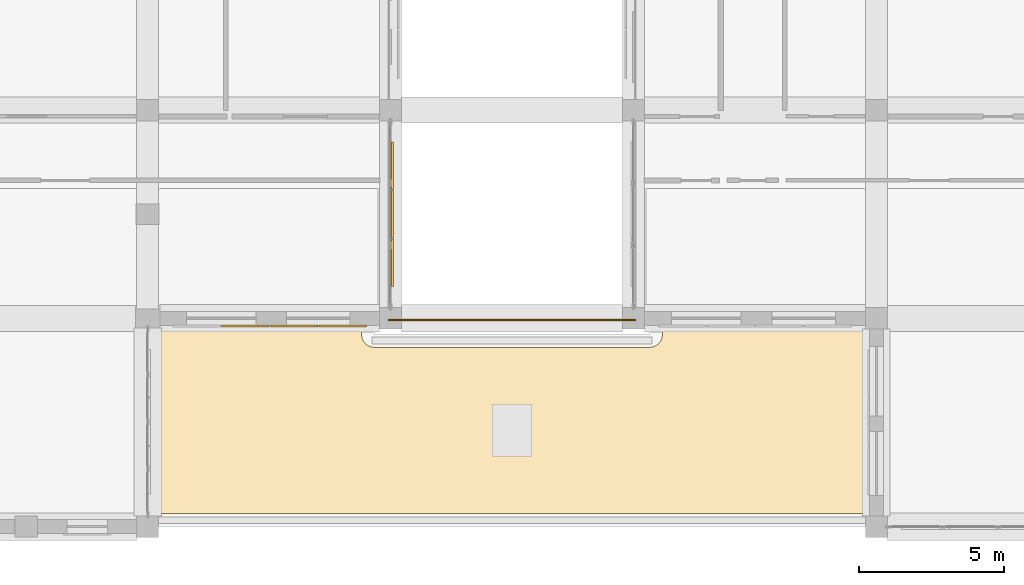
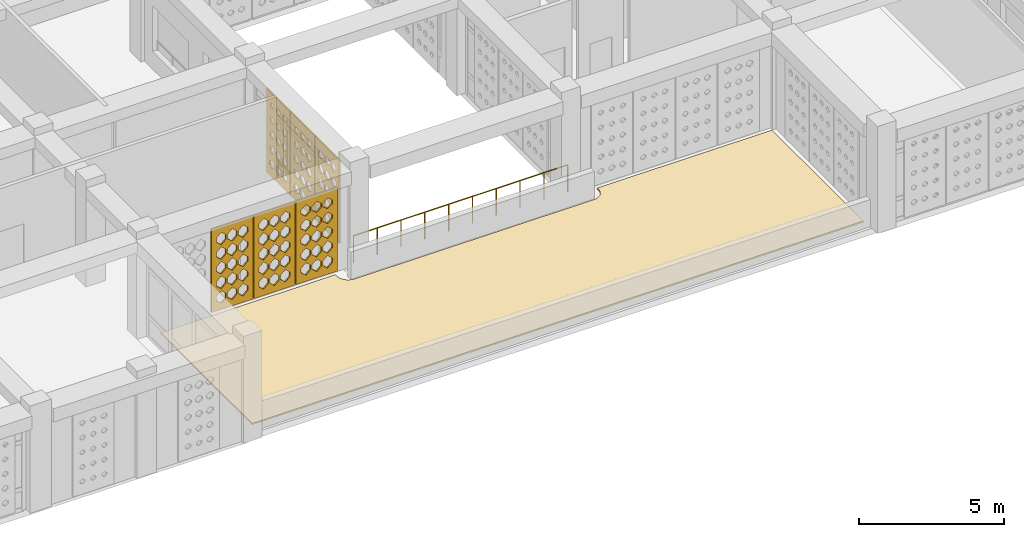
# One storey, part 78 of 111: 7 coverings, 1 railing.
"""IFC4 building model written with IfcOpenShell, lengths in metres."""

from ifc_helpers import new_model, si_unit, derived_unit, direction, frame, origin, origin_2d, place, context, subcontext, project, spatial, polyline, circle, outline, extrude, material, layer, layer_set, type_object, element, save


model = new_model("IFC4")

# Units and contexts
model_context = context("Model", 3, precision=1e-05, world=origin(), true_north=direction((0.0, 1.0)))
body_context = subcontext(model_context, "Body", "Model", "MODEL_VIEW")
ifc_project = project(units=[si_unit("LENGTHUNIT", "METRE"), si_unit("AREAUNIT", "SQUARE_METRE"), si_unit("VOLUMEUNIT", "CUBIC_METRE"), si_unit("PLANEANGLEUNIT", "RADIAN"), si_unit("MASSUNIT", "GRAM", prefix="KILO"), derived_unit("THERMALTRANSMITTANCEUNIT", [(si_unit("POWERUNIT", "WATT"), 1), (si_unit("LENGTHUNIT", "METRE"), -2), (si_unit("THERMODYNAMICTEMPERATUREUNIT", "KELVIN"), -1)])], contexts=[model_context])

# Site, building, storey
site_placement = place(None, origin())
site = spatial("IfcSite", under=ifc_project, at=site_placement, CompositionType="ELEMENT")
building_placement = place(site_placement, origin())
building = spatial("IfcBuilding", under=site, at=building_placement, Name="Veybourne Emporium", CompositionType="ELEMENT")
storey_placement = place(building_placement, frame((0.0, 0.0, 9.89990234375)))
storey = spatial("IfcBuildingStorey", under=building, at=storey_placement, Name="L02", CompositionType="ELEMENT", Elevation=9.89990234375)

# Railing
ifc_material_1 = material(Name="Patinated Architectural Bronze", Category="bronze")
railing_type = type_object("IfcRailingType", Name="Balustrade_BL-01", PredefinedType="BALUSTRADE", material=ifc_material_1)
railing_placement = place(storey_placement, frame((58.739990234375, 7.139892578125, 0.0)))
element("IfcRailing", 1, at=railing_placement, inside=storey, type_object=railing_type, Name="L02 shopping arcade gallery balustrade 1", PredefinedType="BALUSTRADE", context=body_context, shape_type="SweptSolid", body=[
    extrude(circle(Radius=0.02392578125, at=origin_2d()), frame((0.0, 0.0, 1.1259765625), z_axis=(1.0, 0.0, 0.0), x_axis=(0.0, 1.0, 0.0)), (0.0, 0.0, 1.0), 8.52001953125),
    extrude(circle(Radius=0.02099609375, at=origin_2d()), origin(), (0.0, 0.0, 1.0), 1.101806640625),
    extrude(circle(Radius=0.02099609375, at=origin_2d()), frame((0.94677734375, 0.0, 0.0)), (0.0, 0.0, 1.0), 1.101806640625),
    extrude(circle(Radius=0.02099609375, at=origin_2d()), frame((1.893310546875, 0.0, 0.0)), (0.0, 0.0, 1.0), 1.101806640625),
    extrude(circle(Radius=0.02099609375, at=origin_2d()), frame((2.840087890625, 0.0, 0.0)), (0.0, 0.0, 1.0), 1.101806640625),
    extrude(circle(Radius=0.02099609375, at=origin_2d()), frame((3.78662109375, 0.0, 0.0)), (0.0, 0.0, 1.0), 1.101806640625),
    extrude(circle(Radius=0.02099609375, at=origin_2d()), frame((4.7333984375, 0.0, 0.0)), (0.0, 0.0, 1.0), 1.101806640625),
    extrude(circle(Radius=0.02099609375, at=origin_2d()), frame((5.679931640625, 0.0, 0.0)), (0.0, 0.0, 1.0), 1.101806640625),
    extrude(circle(Radius=0.02099609375, at=origin_2d()), frame((6.626708984375, 0.0, 0.0)), (0.0, 0.0, 1.0), 1.101806640625),
    extrude(circle(Radius=0.02099609375, at=origin_2d()), frame((7.5732421875, 0.0, 0.0)), (0.0, 0.0, 1.0), 1.101806640625),
    extrude(circle(Radius=0.02099609375, at=origin_2d()), frame((8.52001953125, 0.0, 0.0)), (0.0, 0.0, 1.0), 1.101806640625),
])

# Coverings
ifc_material_2 = material(Name="Single-Ply Warm Roof Membrane", Category="membrane")
ifc_layer_1 = layer(ifc_material_2, 0.06005859375)
ifc_layer_set_1 = layer_set([ifc_layer_1], Name="Single-Ply Warm Roof Membrane")
covering_type_1 = type_object("IfcCoveringType", Name="Roofing_RFG-01", PredefinedType="ROOFING", material=ifc_layer_set_1)
covering_1_placement = place(storey_placement, origin())
element("IfcCovering", 2, at=covering_1_placement, inside=storey, type_object=covering_type_1, Name="L02 warm-roof waterproofing membrane 1.1", PredefinedType="ROOFING", context=body_context, shape_type="SweptSolid", body=[
    extrude(outline(polyline([(75.14990234375, 6.75), (75.14990234375, 0.449951171875), (50.85009765625, 0.449951171875), (50.85009765625, 6.75), (57.800048828125, 6.75), (57.800048828125, 6.64990234375), (57.80224609375, 6.60595703125), (57.80859375, 6.562255859375), (57.8193359375, 6.519287109375), (57.834228515625, 6.477783203125), (57.85302734375, 6.43798828125), (57.875732421875, 6.39990234375), (57.902099609375, 6.364501953125), (57.931884765625, 6.331787109375), (57.964599609375, 6.30224609375), (58.0, 6.27587890625), (58.037841796875, 6.253173828125), (58.077880859375, 6.234130859375), (58.119384765625, 6.219482421875), (58.162109375, 6.208740234375), (58.205810546875, 6.2021484375), (58.25, 6.199951171875), (67.75, 6.199951171875), (67.794189453125, 6.2021484375), (67.837890625, 6.208740234375), (67.880615234375, 6.219482421875), (67.922119140625, 6.234130859375), (67.962158203125, 6.253173828125), (68.0, 6.27587890625), (68.035400390625, 6.30224609375), (68.068115234375, 6.331787109375), (68.097900390625, 6.364501953125), (68.124267578125, 6.39990234375), (68.14697265625, 6.43798828125), (68.165771484375, 6.477783203125), (68.1806640625, 6.519287109375), (68.19140625, 6.562255859375), (68.19775390625, 6.60595703125), (68.199951171875, 6.64990234375), (68.199951171875, 6.75), (75.14990234375, 6.75)])), origin(), (0.0, 0.0, 1.0), 0.06005859375),
])
ifc_material_3 = material(Name="Warm-White Perforated Aluminium Screen Alloy", Category="aluminium")
ifc_layer_2 = layer(ifc_material_3, 0.06005859375)
ifc_layer_set_2 = layer_set([ifc_layer_2], Name="Warm-White Perforated Aluminium Screen Alloy")
covering_type_2 = type_object("IfcCoveringType", Name="WaveScreen_SCR-01", PredefinedType="CLADDING", material=ifc_layer_set_2)
covering_2_placement = place(storey_placement, frame((57.14501953125, 6.90185546875, 1.815185546875), z_axis=(0.0, 1.0, 0.0), x_axis=(-1.0, 0.0, 0.0)))
element("IfcCovering", 3, at=covering_2_placement, inside=storey, type_object=covering_type_2, Name="L02 wave-perforated aluminium screen SCR-01 (29.1)", PredefinedType="CLADDING", context=body_context, shape_type="SweptSolid", body=[
    extrude(outline(polyline([(-0.81982421875, -1.7548828125), (0.81982421875, -1.7548828125), (0.81982421875, 1.7548828125), (-0.81982421875, 1.7548828125), (-0.81982421875, -1.7548828125)]), holes=[polyline([(-0.433349609375, -0.964111328125), (-0.2470703125, -1.133056640625), (-0.2470703125, -1.322998046875), (-0.433349609375, -1.491943359375), (-0.61962890625, -1.322998046875), (-0.61962890625, -1.133056640625), (-0.433349609375, -0.964111328125)]), polyline([(-0.433349609375, -0.3525390625), (-0.2470703125, -0.52001953125), (-0.2470703125, -0.7080078125), (-0.433349609375, -0.87548828125), (-0.61962890625, -0.7080078125), (-0.61962890625, -0.52001953125), (-0.433349609375, -0.3525390625)]), polyline([(-0.433349609375, 0.252685546875), (-0.2470703125, 0.0908203125), (-0.2470703125, -0.0908203125), (-0.433349609375, -0.252685546875), (-0.61962890625, -0.0908203125), (-0.61962890625, 0.0908203125), (-0.433349609375, 0.252685546875)]), polyline([(-0.433349609375, 0.85595703125), (-0.2470703125, 0.701171875), (-0.2470703125, 0.52685546875), (-0.433349609375, 0.3720703125), (-0.61962890625, 0.52685546875), (-0.61962890625, 0.701171875), (-0.433349609375, 0.85595703125)]), polyline([(-0.433349609375, 1.4580078125), (-0.2470703125, 1.310791015625), (-0.2470703125, 1.145263671875), (-0.433349609375, 0.998046875), (-0.61962890625, 1.145263671875), (-0.61962890625, 1.310791015625), (-0.433349609375, 1.4580078125)]), polyline([(0.0, -0.964111328125), (0.186279296875, -1.133056640625), (0.186279296875, -1.322998046875), (0.0, -1.491943359375), (-0.186279296875, -1.322998046875), (-0.186279296875, -1.133056640625), (0.0, -0.964111328125)]), polyline([(0.0, -0.35009765625), (0.186279296875, -0.51904296875), (0.186279296875, -0.708984375), (0.0, -0.8779296875), (-0.186279296875, -0.708984375), (-0.186279296875, -0.51904296875), (0.0, -0.35009765625)]), polyline([(0.0, 0.2568359375), (0.186279296875, 0.092529296875), (0.186279296875, -0.092529296875), (0.0, -0.2568359375), (-0.186279296875, -0.092529296875), (-0.186279296875, 0.092529296875), (0.0, 0.2568359375)]), polyline([(0.0, 0.861083984375), (0.186279296875, 0.702880859375), (0.186279296875, 0.525146484375), (0.0, 0.366943359375), (-0.186279296875, 0.525146484375), (-0.186279296875, 0.702880859375), (0.0, 0.861083984375)]), polyline([(0.0, 1.463623046875), (0.186279296875, 1.312744140625), (0.186279296875, 1.143310546875), (0.0, 0.992431640625), (-0.186279296875, 1.143310546875), (-0.186279296875, 1.312744140625), (0.0, 1.463623046875)]), polyline([(0.433349609375, -0.964111328125), (0.61962890625, -1.133056640625), (0.61962890625, -1.322998046875), (0.433349609375, -1.491943359375), (0.2470703125, -1.322998046875), (0.2470703125, -1.133056640625), (0.433349609375, -0.964111328125)]), polyline([(0.433349609375, -0.35009765625), (0.61962890625, -0.51904296875), (0.61962890625, -0.708984375), (0.433349609375, -0.8779296875), (0.2470703125, -0.708984375), (0.2470703125, -0.51904296875), (0.433349609375, -0.35009765625)]), polyline([(0.433349609375, 0.260498046875), (0.61962890625, 0.09375), (0.61962890625, -0.09375), (0.433349609375, -0.260498046875), (0.2470703125, -0.09375), (0.2470703125, 0.09375), (0.433349609375, 0.260498046875)]), polyline([(0.433349609375, 0.86572265625), (0.61962890625, 0.70458984375), (0.61962890625, 0.5234375), (0.433349609375, 0.3623046875), (0.2470703125, 0.5234375), (0.2470703125, 0.70458984375), (0.433349609375, 0.86572265625)]), polyline([(0.433349609375, 1.468994140625), (0.61962890625, 1.314697265625), (0.61962890625, 1.14111328125), (0.433349609375, 0.987060546875), (0.2470703125, 1.14111328125), (0.2470703125, 1.314697265625), (0.433349609375, 1.468994140625)])]), origin(), (0.0, 0.0, 1.0), 0.06005859375),
])
ifc_layer_3 = layer(ifc_material_3, 0.06005859375)
ifc_layer_set_3 = layer_set([ifc_layer_3], Name="Warm-White Perforated Aluminium Screen Alloy")
covering_type_3 = type_object("IfcCoveringType", Name="WaveScreen_SCR-02", PredefinedType="CLADDING", material=ifc_layer_set_3)
covering_3_placement = place(storey_placement, frame((55.465087890625, 6.90185546875, 1.815185546875), z_axis=(0.0, 1.0, 0.0), x_axis=(-1.0, 0.0, 0.0)))
element("IfcCovering", 4, at=covering_3_placement, inside=storey, type_object=covering_type_3, Name="L02 wave-perforated aluminium screen SCR-02 (29.2)", PredefinedType="CLADDING", context=body_context, shape_type="SweptSolid", body=[
    extrude(outline(polyline([(-0.81982421875, -1.7548828125), (0.81982421875, -1.7548828125), (0.81982421875, 1.7548828125), (-0.81982421875, 1.7548828125), (-0.81982421875, -1.7548828125)]), holes=[polyline([(-0.433349609375, -0.964111328125), (-0.2470703125, -1.133056640625), (-0.2470703125, -1.322998046875), (-0.433349609375, -1.491943359375), (-0.61962890625, -1.322998046875), (-0.61962890625, -1.133056640625), (-0.433349609375, -0.964111328125)]), polyline([(-0.433349609375, -0.35009765625), (-0.2470703125, -0.51904296875), (-0.2470703125, -0.708984375), (-0.433349609375, -0.8779296875), (-0.61962890625, -0.708984375), (-0.61962890625, -0.51904296875), (-0.433349609375, -0.35009765625)]), polyline([(-0.433349609375, 0.263916015625), (-0.2470703125, 0.094970703125), (-0.2470703125, -0.094970703125), (-0.433349609375, -0.263916015625), (-0.61962890625, -0.094970703125), (-0.61962890625, 0.094970703125), (-0.433349609375, 0.263916015625)]), polyline([(-0.433349609375, 0.873291015625), (-0.2470703125, 0.70751953125), (-0.2470703125, 0.5205078125), (-0.433349609375, 0.3544921875), (-0.61962890625, 0.5205078125), (-0.61962890625, 0.70751953125), (-0.433349609375, 0.873291015625)]), polyline([(-0.433349609375, 1.478271484375), (-0.2470703125, 1.318115234375), (-0.2470703125, 1.137939453125), (-0.433349609375, 0.977783203125), (-0.61962890625, 1.137939453125), (-0.61962890625, 1.318115234375), (-0.433349609375, 1.478271484375)]), polyline([(0.0, -0.964111328125), (0.186279296875, -1.133056640625), (0.186279296875, -1.322998046875), (0.0, -1.491943359375), (-0.186279296875, -1.322998046875), (-0.186279296875, -1.133056640625), (0.0, -0.964111328125)]), polyline([(0.0, -0.35009765625), (0.186279296875, -0.51904296875), (0.186279296875, -0.708984375), (0.0, -0.8779296875), (-0.186279296875, -0.708984375), (-0.186279296875, -0.51904296875), (0.0, -0.35009765625)]), polyline([(0.0, 0.263916015625), (0.186279296875, 0.094970703125), (0.186279296875, -0.094970703125), (0.0, -0.263916015625), (-0.186279296875, -0.094970703125), (-0.186279296875, 0.094970703125), (0.0, 0.263916015625)]), polyline([(0.0, 0.876953125), (0.186279296875, 0.708740234375), (0.186279296875, 0.519287109375), (0.0, 0.35107421875), (-0.186279296875, 0.519287109375), (-0.186279296875, 0.708740234375), (0.0, 0.876953125)]), polyline([(0.0, 1.482666015625), (0.186279296875, 1.319580078125), (0.186279296875, 1.13623046875), (0.0, 0.973388671875), (-0.186279296875, 1.13623046875), (-0.186279296875, 1.319580078125), (0.0, 1.482666015625)]), polyline([(0.433349609375, -0.964111328125), (0.61962890625, -1.133056640625), (0.61962890625, -1.322998046875), (0.433349609375, -1.491943359375), (0.2470703125, -1.322998046875), (0.2470703125, -1.133056640625), (0.433349609375, -0.964111328125)]), polyline([(0.433349609375, -0.35009765625), (0.61962890625, -0.51904296875), (0.61962890625, -0.708984375), (0.433349609375, -0.8779296875), (0.2470703125, -0.708984375), (0.2470703125, -0.51904296875), (0.433349609375, -0.35009765625)]), polyline([(0.433349609375, 0.263916015625), (0.61962890625, 0.094970703125), (0.61962890625, -0.094970703125), (0.433349609375, -0.263916015625), (0.2470703125, -0.094970703125), (0.2470703125, 0.094970703125), (0.433349609375, 0.263916015625)]), polyline([(0.433349609375, 0.8779296875), (0.61962890625, 0.708984375), (0.61962890625, 0.51904296875), (0.433349609375, 0.35009765625), (0.2470703125, 0.51904296875), (0.2470703125, 0.708984375), (0.433349609375, 0.8779296875)]), polyline([(0.433349609375, 1.48681640625), (0.61962890625, 1.321044921875), (0.61962890625, 1.135009765625), (0.433349609375, 0.96923828125), (0.2470703125, 1.135009765625), (0.2470703125, 1.321044921875), (0.433349609375, 1.48681640625)])]), origin(), (0.0, 0.0, 1.0), 0.06005859375),
])
covering_4_placement = place(storey_placement, frame((58.8955078125, 12.47998046875, 1.815185546875), z_axis=(-1.0, 0.0, 0.0), x_axis=(0.0, -1.0, 0.0)))
element("IfcCovering", 5, at=covering_4_placement, inside=storey, type_object=covering_type_3, Name="L02 wave-perforated aluminium screen SCR-02 (30C.1)", PredefinedType="CLADDING", context=body_context, shape_type="SweptSolid", body=[
    extrude(outline(polyline([(-0.81982421875, -1.7548828125), (0.81982421875, -1.7548828125), (0.81982421875, 1.7548828125), (-0.81982421875, 1.7548828125), (-0.81982421875, -1.7548828125)]), holes=[polyline([(-0.433349609375, -1.047607421875), (-0.27587890625, -1.1630859375), (-0.27587890625, -1.29296875), (-0.433349609375, -1.408203125), (-0.5908203125, -1.29296875), (-0.5908203125, -1.1630859375), (-0.433349609375, -1.047607421875)]), polyline([(-0.433349609375, -0.447509765625), (-0.287109375, -0.55419921875), (-0.287109375, -0.673828125), (-0.433349609375, -0.780517578125), (-0.57958984375, -0.673828125), (-0.57958984375, -0.55419921875), (-0.433349609375, -0.447509765625)]), polyline([(-0.433349609375, 0.153564453125), (-0.297607421875, 0.055419921875), (-0.297607421875, -0.055419921875), (-0.433349609375, -0.153564453125), (-0.56884765625, -0.055419921875), (-0.56884765625, 0.055419921875), (-0.433349609375, 0.153564453125)]), polyline([(-0.433349609375, 0.755615234375), (-0.3076171875, 0.6650390625), (-0.3076171875, 0.56298828125), (-0.433349609375, 0.472412109375), (-0.55908203125, 0.56298828125), (-0.55908203125, 0.6650390625), (-0.433349609375, 0.755615234375)]), polyline([(-0.433349609375, 1.359375), (-0.31591796875, 1.275390625), (-0.31591796875, 1.1806640625), (-0.433349609375, 1.0966796875), (-0.55078125, 1.1806640625), (-0.55078125, 1.275390625), (-0.433349609375, 1.359375)]), polyline([(0.0, -1.041259765625), (0.16259765625, -1.160888671875), (0.16259765625, -1.295166015625), (0.0, -1.414794921875), (-0.16259765625, -1.295166015625), (-0.16259765625, -1.160888671875), (0.0, -1.041259765625)]), polyline([(0.0, -0.44140625), (0.1513671875, -0.5517578125), (0.1513671875, -0.67626953125), (0.0, -0.78662109375), (-0.1513671875, -0.67626953125), (-0.1513671875, -0.5517578125), (0.0, -0.44140625)]), polyline([(0.0, 0.1591796875), (0.140380859375, 0.057373046875), (0.140380859375, -0.057373046875), (0.0, -0.1591796875), (-0.140380859375, -0.057373046875), (-0.140380859375, 0.057373046875), (0.0, 0.1591796875)]), polyline([(0.0, 0.760986328125), (0.130126953125, 0.6669921875), (0.130126953125, 0.56103515625), (0.0, 0.467041015625), (-0.130126953125, 0.56103515625), (-0.130126953125, 0.6669921875), (0.0, 0.760986328125)]), polyline([(0.0, 1.36376953125), (0.12109375, 1.27685546875), (0.12109375, 1.17919921875), (0.0, 1.09228515625), (-0.12109375, 1.17919921875), (-0.12109375, 1.27685546875), (0.0, 1.36376953125)]), polyline([(0.433349609375, -1.034912109375), (0.601318359375, -1.158447265625), (0.601318359375, -1.297607421875), (0.433349609375, -1.421142578125), (0.265380859375, -1.297607421875), (0.265380859375, -1.158447265625), (0.433349609375, -1.034912109375)]), polyline([(0.433349609375, -0.43505859375), (0.58984375, -0.549560546875), (0.58984375, -0.678466796875), (0.433349609375, -0.79296875), (0.27685546875, -0.678466796875), (0.27685546875, -0.549560546875), (0.433349609375, -0.43505859375)]), polyline([(0.433349609375, 0.165283203125), (0.57861328125, 0.0595703125), (0.57861328125, -0.0595703125), (0.433349609375, -0.165283203125), (0.2880859375, -0.0595703125), (0.2880859375, 0.0595703125), (0.433349609375, 0.165283203125)]), polyline([(0.433349609375, 0.766357421875), (0.568115234375, 0.668701171875), (0.568115234375, 0.55908203125), (0.433349609375, 0.461669921875), (0.298583984375, 0.55908203125), (0.298583984375, 0.668701171875), (0.433349609375, 0.766357421875)]), polyline([(0.433349609375, 1.36865234375), (0.558349609375, 1.278564453125), (0.558349609375, 1.177490234375), (0.433349609375, 1.08740234375), (0.308349609375, 1.177490234375), (0.308349609375, 1.278564453125), (0.433349609375, 1.36865234375)])]), origin(), (0.0, 0.0, 1.0), 0.06005859375),
])
ifc_layer_4 = layer(ifc_material_3, 0.06005859375)
ifc_layer_set_4 = layer_set([ifc_layer_4], Name="Warm-White Perforated Aluminium Screen Alloy")
covering_type_4 = type_object("IfcCoveringType", Name="WaveScreen_SCR-03", PredefinedType="CLADDING", material=ifc_layer_set_4)
covering_5_placement = place(storey_placement, frame((53.784912109375, 6.90185546875, 1.815185546875), z_axis=(0.0, 1.0, 0.0), x_axis=(-1.0, 0.0, 0.0)))
element("IfcCovering", 6, at=covering_5_placement, inside=storey, type_object=covering_type_4, Name="L02 wave-perforated aluminium screen SCR-03 (29.3)", PredefinedType="CLADDING", context=body_context, shape_type="SweptSolid", body=[
    extrude(outline(polyline([(-0.81982421875, -1.7548828125), (0.81982421875, -1.7548828125), (0.81982421875, 1.7548828125), (-0.81982421875, 1.7548828125), (-0.81982421875, -1.7548828125)]), holes=[polyline([(-0.433349609375, -0.964111328125), (-0.2470703125, -1.133056640625), (-0.2470703125, -1.322998046875), (-0.433349609375, -1.491943359375), (-0.61962890625, -1.322998046875), (-0.61962890625, -1.133056640625), (-0.433349609375, -0.964111328125)]), polyline([(-0.433349609375, -0.35009765625), (-0.2470703125, -0.51904296875), (-0.2470703125, -0.708984375), (-0.433349609375, -0.8779296875), (-0.61962890625, -0.708984375), (-0.61962890625, -0.51904296875), (-0.433349609375, -0.35009765625)]), polyline([(-0.433349609375, 0.263916015625), (-0.2470703125, 0.094970703125), (-0.2470703125, -0.094970703125), (-0.433349609375, -0.263916015625), (-0.61962890625, -0.094970703125), (-0.61962890625, 0.094970703125), (-0.433349609375, 0.263916015625)]), polyline([(-0.433349609375, 0.8779296875), (-0.2470703125, 0.708984375), (-0.2470703125, 0.51904296875), (-0.433349609375, 0.35009765625), (-0.61962890625, 0.51904296875), (-0.61962890625, 0.708984375), (-0.433349609375, 0.8779296875)]), polyline([(-0.433349609375, 1.491943359375), (-0.2470703125, 1.322998046875), (-0.2470703125, 1.133056640625), (-0.433349609375, 0.964111328125), (-0.61962890625, 1.133056640625), (-0.61962890625, 1.322998046875), (-0.433349609375, 1.491943359375)]), polyline([(0.0, -0.964111328125), (0.186279296875, -1.133056640625), (0.186279296875, -1.322998046875), (0.0, -1.491943359375), (-0.186279296875, -1.322998046875), (-0.186279296875, -1.133056640625), (0.0, -0.964111328125)]), polyline([(0.0, -0.35009765625), (0.186279296875, -0.51904296875), (0.186279296875, -0.708984375), (0.0, -0.8779296875), (-0.186279296875, -0.708984375), (-0.186279296875, -0.51904296875), (0.0, -0.35009765625)]), polyline([(0.0, 0.263916015625), (0.186279296875, 0.094970703125), (0.186279296875, -0.094970703125), (0.0, -0.263916015625), (-0.186279296875, -0.094970703125), (-0.186279296875, 0.094970703125), (0.0, 0.263916015625)]), polyline([(0.0, 0.8779296875), (0.186279296875, 0.708984375), (0.186279296875, 0.51904296875), (0.0, 0.35009765625), (-0.186279296875, 0.51904296875), (-0.186279296875, 0.708984375), (0.0, 0.8779296875)]), polyline([(0.0, 1.491943359375), (0.186279296875, 1.322998046875), (0.186279296875, 1.133056640625), (0.0, 0.964111328125), (-0.186279296875, 1.133056640625), (-0.186279296875, 1.322998046875), (0.0, 1.491943359375)]), polyline([(0.433349609375, -0.964111328125), (0.61962890625, -1.133056640625), (0.61962890625, -1.322998046875), (0.433349609375, -1.491943359375), (0.2470703125, -1.322998046875), (0.2470703125, -1.133056640625), (0.433349609375, -0.964111328125)]), polyline([(0.433349609375, -0.35009765625), (0.61962890625, -0.51904296875), (0.61962890625, -0.708984375), (0.433349609375, -0.8779296875), (0.2470703125, -0.708984375), (0.2470703125, -0.51904296875), (0.433349609375, -0.35009765625)]), polyline([(0.433349609375, 0.263916015625), (0.61962890625, 0.094970703125), (0.61962890625, -0.094970703125), (0.433349609375, -0.263916015625), (0.2470703125, -0.094970703125), (0.2470703125, 0.094970703125), (0.433349609375, 0.263916015625)]), polyline([(0.433349609375, 0.8779296875), (0.61962890625, 0.708984375), (0.61962890625, 0.51904296875), (0.433349609375, 0.35009765625), (0.2470703125, 0.51904296875), (0.2470703125, 0.708984375), (0.433349609375, 0.8779296875)]), polyline([(0.433349609375, 1.491943359375), (0.61962890625, 1.322998046875), (0.61962890625, 1.133056640625), (0.433349609375, 0.964111328125), (0.2470703125, 1.133056640625), (0.2470703125, 1.322998046875), (0.433349609375, 1.491943359375)])]), origin(), (0.0, 0.0, 1.0), 0.06005859375),
])
covering_6_placement = place(storey_placement, frame((58.8955078125, 10.800048828125, 1.815185546875), z_axis=(-1.0, 0.0, 0.0), x_axis=(0.0, -1.0, 0.0)))
element("IfcCovering", 7, at=covering_6_placement, inside=storey, type_object=covering_type_4, Name="L02 wave-perforated aluminium screen SCR-03 (30C.2)", PredefinedType="CLADDING", context=body_context, shape_type="SweptSolid", body=[
    extrude(outline(polyline([(-0.81982421875, -1.7548828125), (0.81982421875, -1.7548828125), (0.81982421875, 1.7548828125), (-0.81982421875, 1.7548828125), (-0.81982421875, -1.7548828125)]), holes=[polyline([(-0.433349609375, -1.02294921875), (-0.255615234375, -1.154052734375), (-0.255615234375, -1.302001953125), (-0.433349609375, -1.43310546875), (-0.611083984375, -1.302001953125), (-0.611083984375, -1.154052734375), (-0.433349609375, -1.02294921875)]), polyline([(-0.433349609375, -0.423095703125), (-0.26708984375, -0.545166015625), (-0.26708984375, -0.682861328125), (-0.433349609375, -0.804931640625), (-0.599609375, -0.682861328125), (-0.599609375, -0.545166015625), (-0.433349609375, -0.423095703125)]), polyline([(-0.433349609375, 0.177001953125), (-0.278564453125, 0.063720703125), (-0.278564453125, -0.063720703125), (-0.433349609375, -0.177001953125), (-0.588134765625, -0.063720703125), (-0.588134765625, 0.063720703125), (-0.433349609375, 0.177001953125)]), polyline([(-0.433349609375, 0.77734375), (-0.289794921875, 0.6728515625), (-0.289794921875, 0.55517578125), (-0.433349609375, 0.45068359375), (-0.576904296875, 0.55517578125), (-0.576904296875, 0.6728515625), (-0.433349609375, 0.77734375)]), polyline([(-0.433349609375, 1.37841796875), (-0.30029296875, 1.2822265625), (-0.30029296875, 1.173828125), (-0.433349609375, 1.077392578125), (-0.56640625, 1.173828125), (-0.56640625, 1.2822265625), (-0.433349609375, 1.37841796875)]), polyline([(0.0, -1.0166015625), (0.18310546875, -1.15185546875), (0.18310546875, -1.30419921875), (0.0, -1.439453125), (-0.18310546875, -1.30419921875), (-0.18310546875, -1.15185546875), (0.0, -1.0166015625)]), polyline([(0.0, -0.41650390625), (0.17138671875, -0.54296875), (0.17138671875, -0.68505859375), (0.0, -0.811279296875), (-0.17138671875, -0.68505859375), (-0.17138671875, -0.54296875), (0.0, -0.41650390625)]), polyline([(0.0, 0.183349609375), (0.159912109375, 0.06591796875), (0.159912109375, -0.06591796875), (0.0, -0.183349609375), (-0.159912109375, -0.06591796875), (-0.159912109375, 0.06591796875), (0.0, 0.183349609375)]), polyline([(0.0, 0.783447265625), (0.148681640625, 0.675048828125), (0.148681640625, 0.552978515625), (0.0, 0.444580078125), (-0.148681640625, 0.552978515625), (-0.148681640625, 0.675048828125), (0.0, 0.783447265625)]), polyline([(0.0, 1.38427734375), (0.1376953125, 1.2841796875), (0.1376953125, 1.171875), (0.0, 1.07177734375), (-0.1376953125, 1.171875), (-0.1376953125, 1.2841796875), (0.0, 1.38427734375)]), polyline([(0.433349609375, -1.01025390625), (0.61962890625, -1.149658203125), (0.61962890625, -1.306396484375), (0.433349609375, -1.44580078125), (0.2470703125, -1.306396484375), (0.2470703125, -1.149658203125), (0.433349609375, -1.01025390625)]), polyline([(0.433349609375, -0.41015625), (0.610107421875, -0.54052734375), (0.610107421875, -0.6875), (0.433349609375, -0.81787109375), (0.256591796875, -0.6875), (0.256591796875, -0.54052734375), (0.433349609375, -0.41015625)]), polyline([(0.433349609375, 0.189697265625), (0.598388671875, 0.068359375), (0.598388671875, -0.068359375), (0.433349609375, -0.189697265625), (0.26806640625, -0.068359375), (0.26806640625, 0.068359375), (0.433349609375, 0.189697265625)]), polyline([(0.433349609375, 0.78955078125), (0.5869140625, 0.67724609375), (0.5869140625, 0.55078125), (0.433349609375, 0.4384765625), (0.279541015625, 0.55078125), (0.279541015625, 0.67724609375), (0.433349609375, 0.78955078125)]), polyline([(0.433349609375, 1.39013671875), (0.575927734375, 1.286376953125), (0.575927734375, 1.169677734375), (0.433349609375, 1.06591796875), (0.290771484375, 1.169677734375), (0.290771484375, 1.286376953125), (0.433349609375, 1.39013671875)])]), origin(), (0.0, 0.0, 1.0), 0.06005859375),
])
ifc_layer_5 = layer(ifc_material_3, 0.06005859375)
ifc_layer_set_5 = layer_set([ifc_layer_5], Name="Warm-White Perforated Aluminium Screen Alloy")
covering_type_5 = type_object("IfcCoveringType", Name="WaveScreen_SCR-04", PredefinedType="CLADDING", material=ifc_layer_set_5)
covering_7_placement = place(storey_placement, frame((58.8955078125, 9.1201171875, 1.815185546875), z_axis=(-1.0, 0.0, 0.0), x_axis=(0.0, -1.0, 0.0)))
element("IfcCovering", 8, at=covering_7_placement, inside=storey, type_object=covering_type_5, Name="L02 wave-perforated aluminium screen SCR-04 (30C.3)", PredefinedType="CLADDING", context=body_context, shape_type="SweptSolid", body=[
    extrude(outline(polyline([(-0.81982421875, -1.7548828125), (0.81982421875, -1.7548828125), (0.81982421875, 1.7548828125), (-0.81982421875, 1.7548828125), (-0.81982421875, -1.7548828125)]), holes=[polyline([(-0.433349609375, -0.999267578125), (-0.2470703125, -1.1455078125), (-0.2470703125, -1.310302734375), (-0.433349609375, -1.456787109375), (-0.61962890625, -1.310302734375), (-0.61962890625, -1.1455078125), (-0.433349609375, -0.999267578125)]), polyline([(-0.433349609375, -0.3984375), (-0.2470703125, -0.536376953125), (-0.2470703125, -0.691650390625), (-0.433349609375, -0.82958984375), (-0.61962890625, -0.691650390625), (-0.61962890625, -0.536376953125), (-0.433349609375, -0.3984375)]), polyline([(-0.433349609375, 0.201904296875), (-0.25830078125, 0.072509765625), (-0.25830078125, -0.072509765625), (-0.433349609375, -0.201904296875), (-0.6083984375, -0.072509765625), (-0.6083984375, 0.072509765625), (-0.433349609375, 0.201904296875)]), polyline([(-0.433349609375, 0.801513671875), (-0.27001953125, 0.681396484375), (-0.27001953125, 0.54638671875), (-0.433349609375, 0.426513671875), (-0.5966796875, 0.54638671875), (-0.5966796875, 0.681396484375), (-0.433349609375, 0.801513671875)]), polyline([(-0.433349609375, 1.401611328125), (-0.28125, 1.29052734375), (-0.28125, 1.16552734375), (-0.433349609375, 1.054443359375), (-0.585205078125, 1.16552734375), (-0.585205078125, 1.29052734375), (-0.433349609375, 1.401611328125)]), polyline([(0.0, -0.993408203125), (0.186279296875, -1.1435546875), (0.186279296875, -1.3125), (0.0, -1.46240234375), (-0.186279296875, -1.3125), (-0.186279296875, -1.1435546875), (0.0, -0.993408203125)]), polyline([(0.0, -0.392333984375), (0.186279296875, -0.5341796875), (0.186279296875, -0.69384765625), (0.0, -0.835693359375), (-0.186279296875, -0.69384765625), (-0.186279296875, -0.5341796875), (0.0, -0.392333984375)]), polyline([(0.0, 0.2080078125), (0.180419921875, 0.074951171875), (0.180419921875, -0.074951171875), (0.0, -0.2080078125), (-0.180419921875, -0.074951171875), (-0.180419921875, 0.074951171875), (0.0, 0.2080078125)]), polyline([(0.0, 0.80810546875), (0.168701171875, 0.683837890625), (0.168701171875, 0.544189453125), (0.0, 0.419921875), (-0.168701171875, 0.544189453125), (-0.168701171875, 0.683837890625), (0.0, 0.80810546875)]), polyline([(0.0, 1.407958984375), (0.1572265625, 1.292724609375), (0.1572265625, 1.1630859375), (0.0, 1.048095703125), (-0.1572265625, 1.1630859375), (-0.1572265625, 1.292724609375), (0.0, 1.407958984375)]), polyline([(0.433349609375, -0.988037109375), (0.61962890625, -1.1416015625), (0.61962890625, -1.314453125), (0.433349609375, -1.468017578125), (0.2470703125, -1.314453125), (0.2470703125, -1.1416015625), (0.433349609375, -0.988037109375)]), polyline([(0.433349609375, -0.38623046875), (0.61962890625, -0.531982421875), (0.61962890625, -0.696044921875), (0.433349609375, -0.841796875), (0.2470703125, -0.696044921875), (0.2470703125, -0.531982421875), (0.433349609375, -0.38623046875)]), polyline([(0.433349609375, 0.21435546875), (0.61865234375, 0.0771484375), (0.61865234375, -0.0771484375), (0.433349609375, -0.21435546875), (0.247802734375, -0.0771484375), (0.247802734375, 0.0771484375), (0.433349609375, 0.21435546875)]), polyline([(0.433349609375, 0.814453125), (0.607421875, 0.686279296875), (0.607421875, 0.541748046875), (0.433349609375, 0.41357421875), (0.25927734375, 0.541748046875), (0.25927734375, 0.686279296875), (0.433349609375, 0.814453125)]), polyline([(0.433349609375, 1.414306640625), (0.595703125, 1.295166015625), (0.595703125, 1.160888671875), (0.433349609375, 1.041748046875), (0.27099609375, 1.160888671875), (0.27099609375, 1.295166015625), (0.433349609375, 1.414306640625)])]), origin(), (0.0, 0.0, 1.0), 0.06005859375),
])

save(model, "model.ifc")
